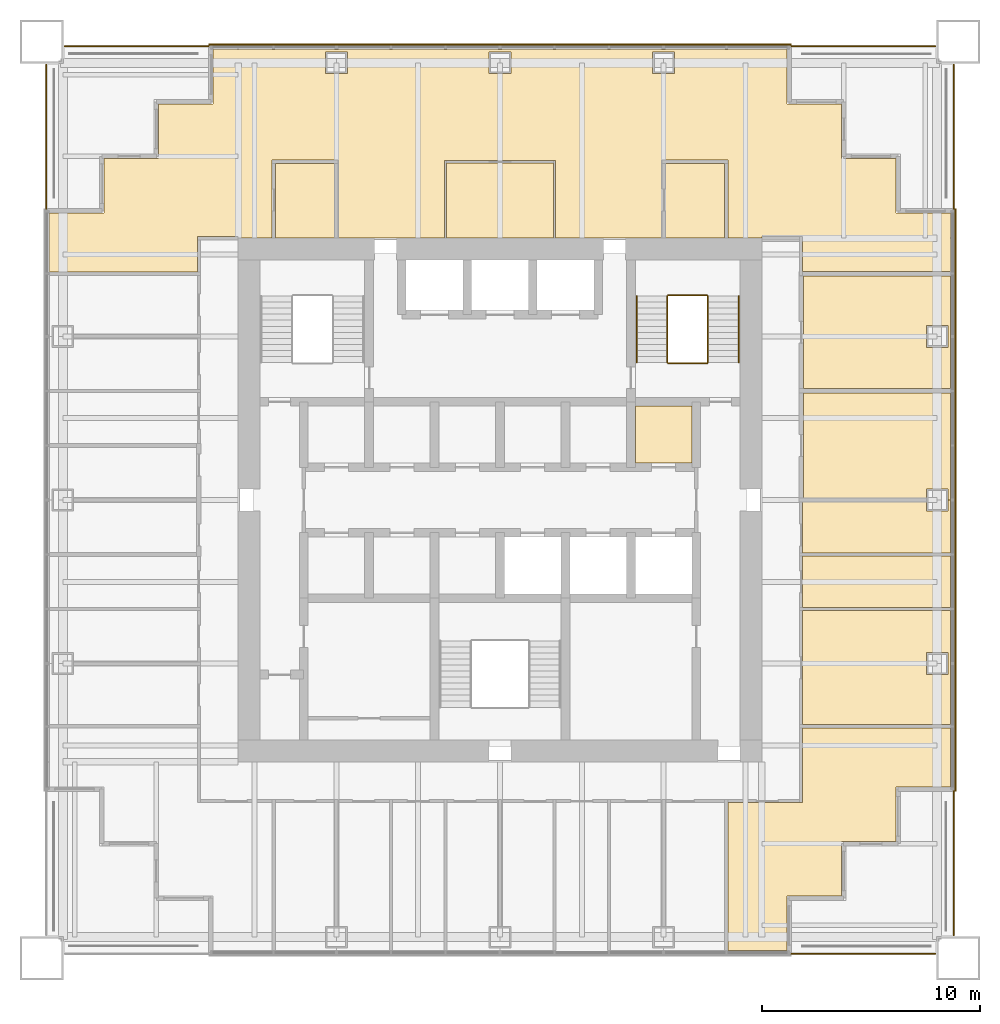
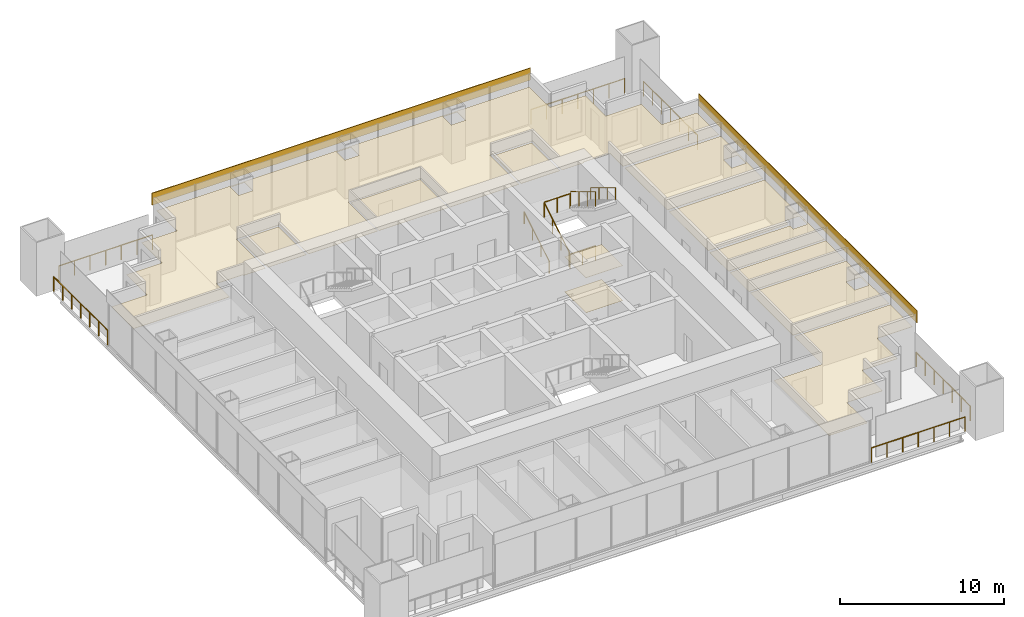
# One storey, part 15 of 15: 14 coverings, 12 railings.
"""IFC4 building model written with IfcOpenShell, lengths in metres."""

from ifc_helpers import new_model, si_unit, direction, frame, origin, origin_2d, place, context, subcontext, project, spatial, polyline, rectangle, circle, outline, extrude, material, layer, layer_set, type_object, element, save


model = new_model("IFC4")

# Units and contexts
model_context = context("Model", 3, precision=1e-05, world=origin(), true_north=direction((0.0, 1.0)))
body_context = subcontext(model_context, "Body", "Model", "MODEL_VIEW")
ifc_project = project(units=[si_unit("LENGTHUNIT", "METRE"), si_unit("AREAUNIT", "SQUARE_METRE"), si_unit("VOLUMEUNIT", "CUBIC_METRE"), si_unit("PLANEANGLEUNIT", "RADIAN"), si_unit("MASSUNIT", "GRAM", prefix="KILO")], contexts=[model_context])

# Site, building, storey
site_placement = place(None, origin())
site = spatial("IfcSite", under=ifc_project, at=site_placement, CompositionType="ELEMENT")
building_placement = place(site_placement, origin())
building = spatial("IfcBuilding", under=site, at=building_placement, Name="Tarangal Relay Tower", CompositionType="ELEMENT")
storey_placement = place(building_placement, frame((0.0, 0.0, 299.89990234375)))
storey = spatial("IfcBuildingStorey", under=building, at=storey_placement, Name="L66", CompositionType="ELEMENT", Elevation=299.89990234375)

# Coverings
ifc_material_1 = material(Name="Anti-static vinyl flooring", Category="plastic")
ifc_layer_1 = layer(ifc_material_1, 0.010009765625)
ifc_layer_set_1 = layer_set([ifc_layer_1], Name="Anti-static vinyl floor")
covering_type_1 = type_object("IfcCoveringType", Name="Anti-static vinyl floor", PredefinedType="FLOORING", material=ifc_layer_set_1)
covering_1_placement = place(storey_placement, origin())
element("IfcCovering", 1, at=covering_1_placement, inside=storey, type_object=covering_type_1, Name="Floor finish FL1 L66-T3", PredefinedType="FLOORING", context=body_context, shape_type="SweptSolid", body=[
    extrude(outline(polyline([(6.199951171875, 1.699951171875), (8.800048828125, 1.699951171875), (8.800048828125, 4.300048828125), (6.199951171875, 4.300048828125), (6.199951171875, 1.699951171875)])), origin(), (0.0, 0.0, 1.0), 0.010009765625),
])
ifc_material_2 = material(Name="Black anodised aluminium cladding", Category="aluminium")
ifc_layer_2 = layer(ifc_material_2, 0.050048828125)
ifc_layer_set_2 = layer_set([ifc_layer_2], Name="Black metal spandrel band")
covering_type_2 = type_object("IfcCoveringType", Name="Black metal spandrel band", PredefinedType="CLADDING", material=ifc_layer_set_2)
for number, where, z_axis, x_axis, name in (
    (2, (0.0, 20.875, 3.250244140625), (0.0, 0.0, 1.0), (1.0, 0.0, 0.0), "Spandrel band SB1 N L66"),
    (3, (20.875, 0.0, 3.250244140625), (0.0, 0.0, 1.0), (0.0, -1.0, 0.0), "Spandrel band SB1 E L66"),
):
    element("IfcCovering", number, at=place(storey_placement, frame(where, z_axis=z_axis, x_axis=x_axis)), inside=storey, type_object=covering_type_2, Name=name, PredefinedType="CLADDING", context=body_context, shape_type="SweptSolid", body=[
        extrude(rectangle(XDim=26.699951171875, YDim=0.050048828125, at=origin_2d()), origin(), (0.0, 0.0, 1.0), 0.89990234375),
    ])

# Railings
ifc_material_3 = material(Name="Steel guard, black finish", Category="steel")
railing_type_1 = type_object("IfcRailingType", Name="Stair guard 1100", PredefinedType="GUARDRAIL", material=ifc_material_3)
railing_1_placement = place(storey_placement, frame((7.669921875, 6.300048828125, 0.166748046875)))
element("IfcRailing", 4, at=railing_1_placement, inside=storey, type_object=railing_type_1, Name="Stair ST-B guard GR1 L66 flight 1", PredefinedType="GUARDRAIL", context=body_context, shape_type="SweptSolid", body=[
    extrude(circle(Radius=0.02392578125, at=origin_2d()), frame((0.0, 0.0, 1.076171875), z_axis=(0.0, 0.85685617095, 0.515555527858), x_axis=(-1.0, 0.0, 0.0)), (0.0, 0.0, 1.0), 3.555908203125),
    extrude(circle(Radius=0.02099609375, at=origin_2d()), origin(), (0.0, 0.0, 1.0), 1.052001953125),
    extrude(circle(Radius=0.02099609375, at=origin_2d()), frame((0.0, 1.015625, 0.611083984375)), (0.0, 0.0, 1.0), 1.052001953125),
    extrude(circle(Radius=0.02099609375, at=origin_2d()), frame((0.0, 2.03125, 1.22216796875)), (0.0, 0.0, 1.0), 1.052001953125),
    extrude(circle(Radius=0.02099609375, at=origin_2d()), frame((0.0, 3.046875, 1.833251953125)), (0.0, 0.0, 1.0), 1.052001953125),
])
railing_2_placement = place(storey_placement, frame((9.530029296875, 9.346923828125, 2.166748046875)))
element("IfcRailing", 5, at=railing_2_placement, inside=storey, type_object=railing_type_1, Name="Stair ST-B guard GR1 L66 flight 2", PredefinedType="GUARDRAIL", context=body_context, shape_type="SweptSolid", body=[
    extrude(circle(Radius=0.02392578125, at=origin_2d()), frame((0.0, 0.0, 1.076171875), z_axis=(0.0, -0.85685617095, 0.515555527858), x_axis=(1.0, 0.0, 0.0)), (0.0, 0.0, 1.0), 3.555908203125),
    extrude(circle(Radius=0.02099609375, at=origin_2d()), origin(), (0.0, 0.0, 1.0), 1.052001953125),
    extrude(circle(Radius=0.02099609375, at=origin_2d()), frame((0.0, -1.015625, 0.611083984375)), (0.0, 0.0, 1.0), 1.052001953125),
    extrude(circle(Radius=0.02099609375, at=origin_2d()), frame((0.0, -2.03125, 1.22216796875)), (0.0, 0.0, 1.0), 1.052001953125),
    extrude(circle(Radius=0.02099609375, at=origin_2d()), frame((0.0, -3.046875, 1.833251953125)), (0.0, 0.0, 1.0), 1.052001953125),
])
for number, where, name in (
    (6, (7.699951171875, 6.27001953125, 0.0), "Stair ST-B landing guard GR1 L66"),
    (7, (7.699951171875, 9.376953125, 2.0), "Stair ST-B landing guard GR1 L66"),
):
    element("IfcRailing", number, at=place(storey_placement, frame(where)), inside=storey, type_object=railing_type_1, Name=name, PredefinedType="GUARDRAIL", context=body_context, shape_type="SweptSolid", body=[
        extrude(circle(Radius=0.02392578125, at=origin_2d()), frame((0.0, 0.0, 1.076171875), z_axis=(1.0, 0.0, 0.0), x_axis=(0.0, 1.0, 0.0)), (0.0, 0.0, 1.0), 1.800048828125),
        extrude(circle(Radius=0.02099609375, at=origin_2d()), origin(), (0.0, 0.0, 1.0), 1.052001953125),
        extrude(circle(Radius=0.02099609375, at=origin_2d()), frame((0.89990234375, 0.0, 0.0)), (0.0, 0.0, 1.0), 1.052001953125),
        extrude(circle(Radius=0.02099609375, at=origin_2d()), frame((1.800048828125, 0.0, 0.0)), (0.0, 0.0, 1.0), 1.052001953125),
    ])
ifc_material_4 = material(Name="Steel handrail, black finish", Category="steel")
railing_type_2 = type_object("IfcRailingType", Name="Stair handrail 900", PredefinedType="HANDRAIL", material=ifc_material_4)
railing_3_placement = place(storey_placement, frame((6.260009765625, 6.300048828125, 0.166748046875)))
element("IfcRailing", 8, at=railing_3_placement, inside=storey, type_object=railing_type_2, Name="Stair ST-B handrail HR1 L66 flight 1", PredefinedType="HANDRAIL", context=body_context, shape_type="SweptSolid", body=[
    extrude(circle(Radius=0.02392578125, at=origin_2d()), frame((0.0, 0.0, 0.8759765625), z_axis=(0.0, 0.85685617095, 0.515555527858), x_axis=(-1.0, 0.0, 0.0)), (0.0, 0.0, 1.0), 3.555908203125),
    extrude(circle(Radius=0.02099609375, at=origin_2d()), origin(), (0.0, 0.0, 1.0), 0.851806640625),
    extrude(circle(Radius=0.02099609375, at=origin_2d()), frame((0.0, 1.015625, 0.611083984375)), (0.0, 0.0, 1.0), 0.851806640625),
    extrude(circle(Radius=0.02099609375, at=origin_2d()), frame((0.0, 2.03125, 1.22216796875)), (0.0, 0.0, 1.0), 0.851806640625),
    extrude(circle(Radius=0.02099609375, at=origin_2d()), frame((0.0, 3.046875, 1.833251953125)), (0.0, 0.0, 1.0), 0.851806640625),
])
railing_4_placement = place(storey_placement, frame((10.93994140625, 9.346923828125, 2.166748046875)))
element("IfcRailing", 9, at=railing_4_placement, inside=storey, type_object=railing_type_2, Name="Stair ST-B handrail HR1 L66 flight 2", PredefinedType="HANDRAIL", context=body_context, shape_type="SweptSolid", body=[
    extrude(circle(Radius=0.02392578125, at=origin_2d()), frame((0.0, 0.0, 0.8759765625), z_axis=(0.0, -0.85685617095, 0.515555527858), x_axis=(1.0, 0.0, 0.0)), (0.0, 0.0, 1.0), 3.555908203125),
    extrude(circle(Radius=0.02099609375, at=origin_2d()), origin(), (0.0, 0.0, 1.0), 0.851806640625),
    extrude(circle(Radius=0.02099609375, at=origin_2d()), frame((0.0, -1.015625, 0.611083984375)), (0.0, 0.0, 1.0), 0.851806640625),
    extrude(circle(Radius=0.02099609375, at=origin_2d()), frame((0.0, -2.03125, 1.22216796875)), (0.0, 0.0, 1.0), 0.851806640625),
    extrude(circle(Radius=0.02099609375, at=origin_2d()), frame((0.0, -3.046875, 1.833251953125)), (0.0, 0.0, 1.0), 0.851806640625),
])

# Coverings
ifc_material_5 = material(Name="Mineral fibre ceiling tiles", Category="gypsum")
ifc_layer_3 = layer(ifc_material_5, 0.02001953125)
ifc_layer_set_3 = layer_set([ifc_layer_3], Name="Suspended ceiling")
covering_type_3 = type_object("IfcCoveringType", Name="Suspended ceiling", PredefinedType="CEILING", material=ifc_layer_set_3)
covering_2_placement = place(storey_placement, frame((0.0, 0.0, 2.60009765625)))
element("IfcCovering", 10, at=covering_2_placement, inside=storey, type_object=covering_type_3, Name="Suspended ceiling CL1 L66-T3", PredefinedType="CEILING", context=body_context, shape_type="SweptSolid", body=[
    extrude(outline(polyline([(6.199951171875, 1.699951171875), (8.800048828125, 1.699951171875), (8.800048828125, 4.300048828125), (6.199951171875, 4.300048828125), (6.199951171875, 1.699951171875)])), origin(), (0.0, 0.0, 1.0), 0.02001953125),
])
covering_3_placement = place(storey_placement, frame((0.0, 0.0, 2.900146484375)))
element("IfcCovering", 11, at=covering_3_placement, inside=storey, type_object=covering_type_3, Name="Suspended ceiling CL1 L66-02", PredefinedType="CEILING", context=body_context, shape_type="SweptSolid", body=[
    extrude(outline(polyline([(-7.574951171875, 12.0), (-7.574951171875, 15.425048828125), (-10.300048828125, 15.425048828125), (-10.300048828125, 12.0), (-7.574951171875, 12.0)])), origin(), (0.0, 0.0, 1.0), 0.02001953125),
])
covering_4_placement = place(storey_placement, frame((0.0, 0.0, 2.900146484375)))
element("IfcCovering", 12, at=covering_4_placement, inside=storey, type_object=covering_type_3, Name="Suspended ceiling CL1 L66-03", PredefinedType="CEILING", context=body_context, shape_type="SweptSolid", body=[
    extrude(outline(polyline([(2.449951171875, 12.0), (2.449951171875, 15.449951171875), (-2.449951171875, 15.449951171875), (-2.449951171875, 12.0), (2.449951171875, 12.0)])), origin(), (0.0, 0.0, 1.0), 0.02001953125),
])
covering_5_placement = place(storey_placement, frame((0.0, 0.0, 2.900146484375)))
element("IfcCovering", 13, at=covering_5_placement, inside=storey, type_object=covering_type_3, Name="Suspended ceiling CL1 L66-04", PredefinedType="CEILING", context=body_context, shape_type="SweptSolid", body=[
    extrude(outline(polyline([(10.300048828125, 12.0), (10.300048828125, 15.425048828125), (7.574951171875, 15.425048828125), (7.574951171875, 12.0), (10.300048828125, 12.0)])), origin(), (0.0, 0.0, 1.0), 0.02001953125),
])
covering_6_placement = place(storey_placement, frame((0.0, 0.0, 2.900146484375)))
element("IfcCovering", 14, at=covering_6_placement, inside=storey, type_object=covering_type_3, Name="Suspended ceiling CL1 L66-05", PredefinedType="CEILING", context=body_context, shape_type="SweptSolid", body=[
    extrude(outline(polyline([(20.64990234375, 5.10009765625), (20.64990234375, 10.27490234375), (13.89990234375, 10.27490234375), (13.89990234375, 5.10009765625), (20.64990234375, 5.10009765625)]), holes=[polyline([(20.5400390625, 8.0), (19.5400390625, 8.0), (19.5400390625, 7.0), (20.5400390625, 7.0), (20.5400390625, 8.0)])]), origin(), (0.0, 0.0, 1.0), 0.02001953125),
])
covering_7_placement = place(storey_placement, frame((0.0, 0.0, 2.900146484375)))
element("IfcCovering", 15, at=covering_7_placement, inside=storey, type_object=covering_type_3, Name="Suspended ceiling CL1 L66-06", PredefinedType="CEILING", context=body_context, shape_type="SweptSolid", body=[
    extrude(outline(polyline([(20.64990234375, 0.0), (20.64990234375, 4.89990234375), (13.89990234375, 4.89990234375), (13.89990234375, 0.10009765625), (19.5400390625, 0.10009765625), (19.5400390625, 0.5), (20.5400390625, 0.5), (20.5400390625, 0.0), (20.64990234375, 0.0)])), origin(), (0.0, 0.0, 1.0), 0.02001953125),
])
covering_8_placement = place(storey_placement, frame((0.0, 0.0, 2.900146484375)))
element("IfcCovering", 16, at=covering_8_placement, inside=storey, type_object=covering_type_3, Name="Suspended ceiling CL1 L66-07", PredefinedType="CEILING", context=body_context, shape_type="SweptSolid", body=[
    extrude(outline(polyline([(20.64990234375, -2.425048828125), (20.64990234375, 0.0), (20.5400390625, 0.0), (20.5400390625, -0.5), (19.5400390625, -0.5), (19.5400390625, -0.10009765625), (13.875, -0.10009765625), (13.875, -2.425048828125), (20.64990234375, -2.425048828125)])), origin(), (0.0, 0.0, 1.0), 0.02001953125),
])
covering_9_placement = place(storey_placement, frame((0.0, 0.0, 2.900146484375)))
element("IfcCovering", 17, at=covering_9_placement, inside=storey, type_object=covering_type_3, Name="Suspended ceiling CL1 L66-08", PredefinedType="CEILING", context=body_context, shape_type="SweptSolid", body=[
    extrude(outline(polyline([(20.64990234375, -2.574951171875), (13.875, -2.574951171875), (13.875, -4.925048828125), (20.64990234375, -4.925048828125), (20.64990234375, -2.574951171875)])), origin(), (0.0, 0.0, 1.0), 0.02001953125),
])
covering_10_placement = place(storey_placement, frame((0.0, 0.0, 2.900146484375)))
element("IfcCovering", 18, at=covering_10_placement, inside=storey, type_object=covering_type_3, Name="Suspended ceiling CL1 L66-09", PredefinedType="CEILING", context=body_context, shape_type="SweptSolid", body=[
    extrude(outline(polyline([(20.64990234375, -10.300048828125), (20.64990234375, -5.074951171875), (13.875, -5.074951171875), (13.875, -10.300048828125), (20.64990234375, -10.300048828125)]), holes=[polyline([(20.5400390625, -7.0), (19.5400390625, -7.0), (19.5400390625, -8.0), (20.5400390625, -8.0), (20.5400390625, -7.0)])]), origin(), (0.0, 0.0, 1.0), 0.02001953125),
])
covering_11_placement = place(storey_placement, frame((0.0, 0.0, 2.900146484375)))
element("IfcCovering", 19, at=covering_11_placement, inside=storey, type_object=covering_type_3, Name="Suspended ceiling CL1 L66-26", PredefinedType="CEILING", context=body_context, shape_type="SweptSolid", body=[
    extrude(outline(polyline([(7.425048828125, 12.0), (7.425048828125, 15.574951171875), (10.449951171875, 15.574951171875), (10.449951171875, 12.0), (12.0, 12.0), (12.0, 12.074951171875), (13.875, 12.074951171875), (13.875, 10.47509765625), (20.64990234375, 10.47509765625), (20.64990234375, 13.14990234375), (18.14990234375, 13.14990234375), (18.14990234375, 15.64990234375), (15.64990234375, 15.64990234375), (15.64990234375, 18.14990234375), (13.14990234375, 18.14990234375), (13.14990234375, 20.64990234375), (-13.14990234375, 20.64990234375), (-13.14990234375, 18.14990234375), (-15.64990234375, 18.14990234375), (-15.64990234375, 15.64990234375), (-18.14990234375, 15.64990234375), (-18.14990234375, 13.14990234375), (-20.64990234375, 13.14990234375), (-20.64990234375, 10.449951171875), (-13.875, 10.449951171875), (-13.875, 12.074951171875), (-12.0, 12.074951171875), (-12.0, 12.0), (-10.449951171875, 12.0), (-10.449951171875, 15.574951171875), (-7.425048828125, 15.574951171875), (-7.425048828125, 12.0), (-2.550048828125, 12.0), (-2.550048828125, 15.550048828125), (2.550048828125, 15.550048828125), (2.550048828125, 12.0), (7.425048828125, 12.0)]), holes=[polyline([(-7.0, 19.5400390625), (-7.0, 20.5400390625), (-8.0, 20.5400390625), (-8.0, 19.5400390625), (-7.0, 19.5400390625)]), polyline([(-0.5, 19.5400390625), (0.5, 19.5400390625), (0.5, 20.5400390625), (-0.5, 20.5400390625), (-0.5, 19.5400390625)]), polyline([(7.0, 19.5400390625), (8.0, 19.5400390625), (8.0, 20.5400390625), (7.0, 20.5400390625), (7.0, 19.5400390625)])]), origin(), (0.0, 0.0, 1.0), 0.02001953125),
])
covering_12_placement = place(storey_placement, frame((0.0, 0.0, 2.900146484375)))
element("IfcCovering", 20, at=covering_12_placement, inside=storey, type_object=covering_type_3, Name="Suspended ceiling CL1 L66-27", PredefinedType="CEILING", context=body_context, shape_type="SweptSolid", body=[
    extrude(outline(polyline([(20.64990234375, -13.14990234375), (20.64990234375, -10.449951171875), (13.875, -10.449951171875), (13.875, -13.875), (10.449951171875, -13.875), (10.449951171875, -20.64990234375), (13.14990234375, -20.64990234375), (13.14990234375, -18.14990234375), (15.64990234375, -18.14990234375), (15.64990234375, -15.64990234375), (18.14990234375, -15.64990234375), (18.14990234375, -13.14990234375), (20.64990234375, -13.14990234375)])), origin(), (0.0, 0.0, 1.0), 0.02001953125),
])

# Railings
ifc_material_6 = material(Name="Black steel guard with glass infill", Category="steel")
railing_type_3 = type_object("IfcRailingType", Name="Terrace guard 1100", PredefinedType="GUARDRAIL", material=ifc_material_6)
railing_5_placement = place(storey_placement, frame((13.35009765625, 20.800048828125, 0.0)))
element("IfcRailing", 21, at=railing_5_placement, inside=storey, type_object=railing_type_3, Name="Terrace guard GR2 NE L66", PredefinedType="GUARDRAIL", context=body_context, shape_type="SweptSolid", body=[
    extrude(circle(Radius=0.02392578125, at=origin_2d()), frame((0.0, 0.0, 1.076171875), z_axis=(1.0, 0.0, 0.0), x_axis=(0.0, 1.0, 0.0)), (0.0, 0.0, 1.0), 6.599853515625),
    extrude(circle(Radius=0.02099609375, at=origin_2d()), origin(), (0.0, 0.0, 1.0), 1.052001953125),
    extrude(circle(Radius=0.02099609375, at=origin_2d()), frame((1.10009765625, 0.0, 0.0)), (0.0, 0.0, 1.0), 1.052001953125),
    extrude(circle(Radius=0.02099609375, at=origin_2d()), frame((2.199951171875, 0.0, 0.0)), (0.0, 0.0, 1.0), 1.052001953125),
    extrude(circle(Radius=0.02099609375, at=origin_2d()), frame((3.2998046875, 0.0, 0.0)), (0.0, 0.0, 1.0), 1.052001953125),
    extrude(circle(Radius=0.02099609375, at=origin_2d()), frame((4.39990234375, 0.0, 0.0)), (0.0, 0.0, 1.0), 1.052001953125),
    extrude(circle(Radius=0.02099609375, at=origin_2d()), frame((5.5, 0.0, 0.0)), (0.0, 0.0, 1.0), 1.052001953125),
    extrude(circle(Radius=0.02099609375, at=origin_2d()), frame((6.599853515625, 0.0, 0.0)), (0.0, 0.0, 1.0), 1.052001953125),
])
for number, where, name in (
    (22, (20.800048828125, 19.949951171875, 0.0), "Terrace guard GR2 NE L66"),
    (23, (20.800048828125, -13.35009765625, 0.0), "Terrace guard GR2 SE L66"),
):
    element("IfcRailing", number, at=place(storey_placement, frame(where)), inside=storey, type_object=railing_type_3, Name=name, PredefinedType="GUARDRAIL", context=body_context, shape_type="SweptSolid", body=[
        extrude(circle(Radius=0.02392578125, at=origin_2d()), frame((0.0, 0.0, 1.076171875), z_axis=(0.0, -1.0, 0.0), x_axis=(1.0, 0.0, 0.0)), (0.0, 0.0, 1.0), 6.599853515625),
        extrude(circle(Radius=0.02099609375, at=origin_2d()), origin(), (0.0, 0.0, 1.0), 1.052001953125),
        extrude(circle(Radius=0.02099609375, at=origin_2d()), frame((0.0, -1.10009765625, 0.0)), (0.0, 0.0, 1.0), 1.052001953125),
        extrude(circle(Radius=0.02099609375, at=origin_2d()), frame((0.0, -2.199951171875, 0.0)), (0.0, 0.0, 1.0), 1.052001953125),
        extrude(circle(Radius=0.02099609375, at=origin_2d()), frame((0.0, -3.2998046875, 0.0)), (0.0, 0.0, 1.0), 1.052001953125),
        extrude(circle(Radius=0.02099609375, at=origin_2d()), frame((0.0, -4.39990234375, 0.0)), (0.0, 0.0, 1.0), 1.052001953125),
        extrude(circle(Radius=0.02099609375, at=origin_2d()), frame((0.0, -5.5, 0.0)), (0.0, 0.0, 1.0), 1.052001953125),
        extrude(circle(Radius=0.02099609375, at=origin_2d()), frame((0.0, -6.599853515625, 0.0)), (0.0, 0.0, 1.0), 1.052001953125),
    ])
railing_6_placement = place(storey_placement, frame((19.949951171875, -20.800048828125, 0.0)))
element("IfcRailing", 24, at=railing_6_placement, inside=storey, type_object=railing_type_3, Name="Terrace guard GR2 SE L66", PredefinedType="GUARDRAIL", context=body_context, shape_type="SweptSolid", body=[
    extrude(circle(Radius=0.02392578125, at=origin_2d()), frame((0.0, 0.0, 1.076171875), z_axis=(-1.0, 0.0, 0.0), x_axis=(0.0, -1.0, 0.0)), (0.0, 0.0, 1.0), 6.599853515625),
    extrude(circle(Radius=0.02099609375, at=origin_2d()), origin(), (0.0, 0.0, 1.0), 1.052001953125),
    extrude(circle(Radius=0.02099609375, at=origin_2d()), frame((-1.10009765625, 0.0, 0.0)), (0.0, 0.0, 1.0), 1.052001953125),
    extrude(circle(Radius=0.02099609375, at=origin_2d()), frame((-2.199951171875, 0.0, 0.0)), (0.0, 0.0, 1.0), 1.052001953125),
    extrude(circle(Radius=0.02099609375, at=origin_2d()), frame((-3.2998046875, 0.0, 0.0)), (0.0, 0.0, 1.0), 1.052001953125),
    extrude(circle(Radius=0.02099609375, at=origin_2d()), frame((-4.39990234375, 0.0, 0.0)), (0.0, 0.0, 1.0), 1.052001953125),
    extrude(circle(Radius=0.02099609375, at=origin_2d()), frame((-5.5, 0.0, 0.0)), (0.0, 0.0, 1.0), 1.052001953125),
    extrude(circle(Radius=0.02099609375, at=origin_2d()), frame((-6.599853515625, 0.0, 0.0)), (0.0, 0.0, 1.0), 1.052001953125),
])
railing_7_placement = place(storey_placement, frame((-20.800048828125, 13.35009765625, 0.0)))
element("IfcRailing", 25, at=railing_7_placement, inside=storey, type_object=railing_type_3, Name="Terrace guard GR2 NW L66", PredefinedType="GUARDRAIL", context=body_context, shape_type="SweptSolid", body=[
    extrude(circle(Radius=0.02392578125, at=origin_2d()), frame((0.0, 0.0, 1.076171875), z_axis=(0.0, 1.0, 0.0), x_axis=(-1.0, 0.0, 0.0)), (0.0, 0.0, 1.0), 6.599853515625),
    extrude(circle(Radius=0.02099609375, at=origin_2d()), origin(), (0.0, 0.0, 1.0), 1.052001953125),
    extrude(circle(Radius=0.02099609375, at=origin_2d()), frame((0.0, 1.10009765625, 0.0)), (0.0, 0.0, 1.0), 1.052001953125),
    extrude(circle(Radius=0.02099609375, at=origin_2d()), frame((0.0, 2.199951171875, 0.0)), (0.0, 0.0, 1.0), 1.052001953125),
    extrude(circle(Radius=0.02099609375, at=origin_2d()), frame((0.0, 3.2998046875, 0.0)), (0.0, 0.0, 1.0), 1.052001953125),
    extrude(circle(Radius=0.02099609375, at=origin_2d()), frame((0.0, 4.39990234375, 0.0)), (0.0, 0.0, 1.0), 1.052001953125),
    extrude(circle(Radius=0.02099609375, at=origin_2d()), frame((0.0, 5.5, 0.0)), (0.0, 0.0, 1.0), 1.052001953125),
    extrude(circle(Radius=0.02099609375, at=origin_2d()), frame((0.0, 6.599853515625, 0.0)), (0.0, 0.0, 1.0), 1.052001953125),
])
railing_8_placement = place(storey_placement, frame((-19.949951171875, 20.800048828125, 0.0)))
element("IfcRailing", 26, at=railing_8_placement, inside=storey, type_object=railing_type_3, Name="Terrace guard GR2 NW L66", PredefinedType="GUARDRAIL", context=body_context, shape_type="SweptSolid", body=[
    extrude(circle(Radius=0.02392578125, at=origin_2d()), frame((0.0, 0.0, 1.076171875), z_axis=(1.0, 0.0, 0.0), x_axis=(0.0, 1.0, 0.0)), (0.0, 0.0, 1.0), 6.599853515625),
    extrude(circle(Radius=0.02099609375, at=origin_2d()), origin(), (0.0, 0.0, 1.0), 1.052001953125),
    extrude(circle(Radius=0.02099609375, at=origin_2d()), frame((1.10009765625, 0.0, 0.0)), (0.0, 0.0, 1.0), 1.052001953125),
    extrude(circle(Radius=0.02099609375, at=origin_2d()), frame((2.199951171875, 0.0, 0.0)), (0.0, 0.0, 1.0), 1.052001953125),
    extrude(circle(Radius=0.02099609375, at=origin_2d()), frame((3.2998046875, 0.0, 0.0)), (0.0, 0.0, 1.0), 1.052001953125),
    extrude(circle(Radius=0.02099609375, at=origin_2d()), frame((4.39990234375, 0.0, 0.0)), (0.0, 0.0, 1.0), 1.052001953125),
    extrude(circle(Radius=0.02099609375, at=origin_2d()), frame((5.5, 0.0, 0.0)), (0.0, 0.0, 1.0), 1.052001953125),
    extrude(circle(Radius=0.02099609375, at=origin_2d()), frame((6.599853515625, 0.0, 0.0)), (0.0, 0.0, 1.0), 1.052001953125),
])

save(model, "model.ifc")
